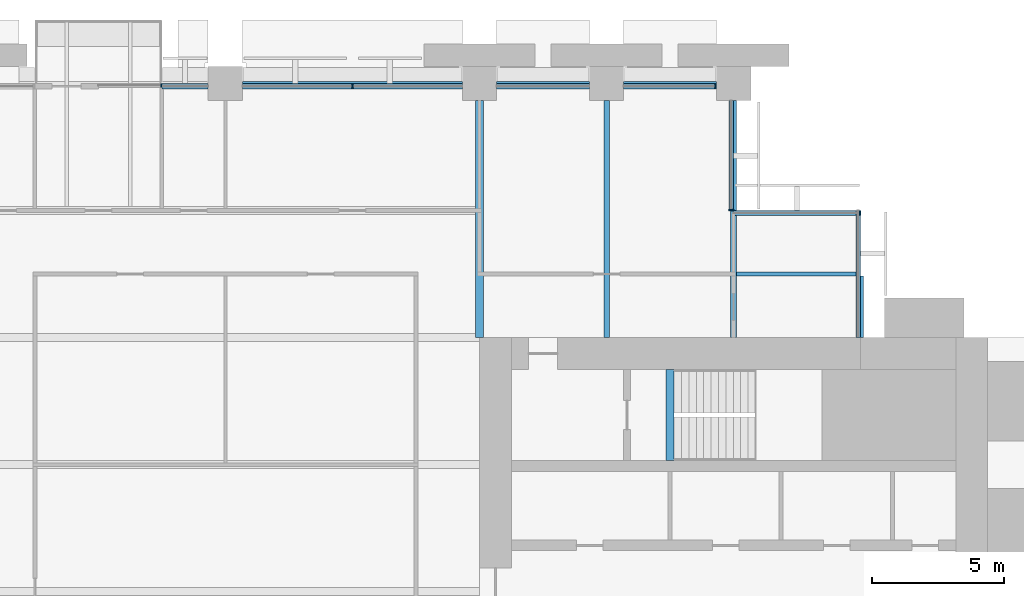
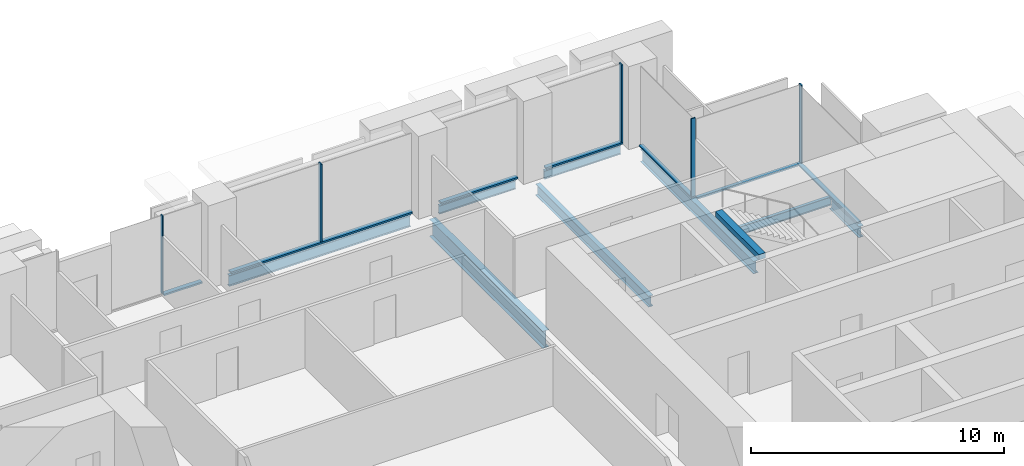
# One storey, part 7 of 15: 12 members, 9 beams, 5 elements without a shape of their own.
"""IFC4 building model written with IfcOpenShell, lengths in metres."""

from ifc_helpers import new_model, si_unit, direction, frame, origin, origin_2d, place, context, subcontext, project, spatial, rectangle, i_section, extrude, material, material_profile, profile_set, type_object, element, aggregate, save


model = new_model("IFC4")

# Units and contexts
model_context = context("Model", 3, precision=1e-05, world=origin(), true_north=direction((0.0, 1.0)))
body_context = subcontext(model_context, "Body", "Model", "MODEL_VIEW")
ifc_project = project(units=[si_unit("LENGTHUNIT", "METRE"), si_unit("AREAUNIT", "SQUARE_METRE"), si_unit("VOLUMEUNIT", "CUBIC_METRE"), si_unit("PLANEANGLEUNIT", "RADIAN"), si_unit("MASSUNIT", "GRAM", prefix="KILO")], contexts=[model_context])

# Site, building, storey
site_placement = place(None, origin())
site = spatial("IfcSite", under=ifc_project, at=site_placement, CompositionType="ELEMENT")
building_placement = place(site_placement, origin())
building = spatial("IfcBuilding", under=site, at=building_placement, Name="Baori Bourse Tower", CompositionType="ELEMENT")
storey_placement = place(building_placement, frame((0.0, 0.0, 47.0)))
storey = spatial("IfcBuildingStorey", under=building, at=storey_placement, Name="L09", CompositionType="ELEMENT", Elevation=47.0)

# Curtain wall, members
ifc_material_1 = material(Name="Pale anodised aluminium", Category="aluminium")
curtain_wall_type_1 = type_object("IfcCurtainWallType", Name="CW1 Curtain wall", PredefinedType="NOTDEFINED", material=ifc_material_1)
curtain_wall_1_placement = place(storey_placement, origin())
curtain_wall_1 = element("IfcCurtainWall", 1, at=curtain_wall_1_placement, inside=storey, type_object=curtain_wall_type_1, Name="Curtain wall CW1 L09 4", PredefinedType="NOTDEFINED")
ifc_material_2 = material(Name="Pale anodised aluminium", Category="aluminium")
ifc_material_profile_1 = material_profile(ifc_material_2, rectangle(XDim=0.199951171875, YDim=0.06005859375, at=origin_2d()), Name="Mullion 60x200")
ifc_profile_set_1 = profile_set([ifc_material_profile_1], Name="Pale anodised aluminium")
member_type_1 = type_object("IfcMemberType", Name="CW1 Curtain wall mullion", PredefinedType="MULLION", material=ifc_profile_set_1)
member_1_placement = place(storey_placement, frame((47.320068359375, 47.89990234375, 0.080078125), z_axis=(0.0, 0.0, 1.0), x_axis=(0.0, -1.0, 0.0)))
member_1 = element("IfcMember", 2, at=member_1_placement, type_object=member_type_1, Name="Curtain wall CW1 mullion", PredefinedType="MULLION", context=body_context, shape_type="SweptSolid", body=[
    extrude(rectangle(XDim=0.199951171875, YDim=0.06005859375, at=origin_2d()), origin(), (0.0, 0.0, 1.0), 3.760009765625),
])
member_2_placement = place(storey_placement, frame((33.60009765625, 47.89990234375, 0.080078125), z_axis=(0.0, 0.0, 1.0), x_axis=(0.0, -1.0, 0.0)))
member_2 = element("IfcMember", 3, at=member_2_placement, type_object=member_type_1, Name="Curtain wall CW1 mullion", PredefinedType="MULLION", context=body_context, shape_type="SweptSolid", body=[
    extrude(rectangle(XDim=0.199951171875, YDim=0.06005859375, at=origin_2d()), origin(), (0.0, 0.0, 1.0), 3.760009765625),
])
ifc_material_3 = material(Name="Pale anodised aluminium", Category="aluminium")
ifc_material_profile_2 = material_profile(ifc_material_3, rectangle(XDim=0.199951171875, YDim=0.080078125, at=origin_2d()), Name="Transom 80x200")
ifc_profile_set_2 = profile_set([ifc_material_profile_2], Name="Pale anodised aluminium")
member_type_2 = type_object("IfcMemberType", Name="CW1 Curtain wall transom", PredefinedType="USERDEFINED", material=ifc_profile_set_2)
member_3_placement = place(storey_placement, frame((47.35009765625, 47.89990234375, 0.0400390625), z_axis=(-1.0, 0.0, 0.0), x_axis=(0.0, -1.0, 0.0)))
member_3 = element("IfcMember", 4, at=member_3_placement, type_object=member_type_2, Name="Curtain wall CW1 sill rail", ObjectType="TRANSOM", PredefinedType="USERDEFINED", context=body_context, shape_type="SweptSolid", body=[
    extrude(rectangle(XDim=0.199951171875, YDim=0.080078125, at=origin_2d()), origin(), (0.0, 0.0, 1.0), 3.5),
])
member_4_placement = place(storey_placement, frame((42.550048828125, 47.89990234375, 0.0400390625), z_axis=(-1.0, 0.0, 0.0), x_axis=(0.0, -1.0, 0.0)))
member_4 = element("IfcMember", 5, at=member_4_placement, type_object=member_type_2, Name="Curtain wall CW1 sill rail", ObjectType="TRANSOM", PredefinedType="USERDEFINED", context=body_context, shape_type="SweptSolid", body=[
    extrude(rectangle(XDim=0.199951171875, YDim=0.080078125, at=origin_2d()), origin(), (0.0, 0.0, 1.0), 3.5),
])
member_5_placement = place(storey_placement, frame((37.75, 47.89990234375, 0.0400390625), z_axis=(-1.0, 0.0, 0.0), x_axis=(0.0, -1.0, 0.0)))
member_5 = element("IfcMember", 6, at=member_5_placement, type_object=member_type_2, Name="Curtain wall CW1 sill rail", ObjectType="TRANSOM", PredefinedType="USERDEFINED", context=body_context, shape_type="SweptSolid", body=[
    extrude(rectangle(XDim=0.199951171875, YDim=0.080078125, at=origin_2d()), origin(), (0.0, 0.0, 1.0), 8.300048828125),
])
member_6_placement = place(storey_placement, frame((28.14990234375, 47.89990234375, 0.0400390625), z_axis=(-1.0, 0.0, 0.0), x_axis=(0.0, -1.0, 0.0)))
member_6 = element("IfcMember", 7, at=member_6_placement, type_object=member_type_2, Name="Curtain wall CW1 sill rail", ObjectType="TRANSOM", PredefinedType="USERDEFINED", context=body_context, shape_type="SweptSolid", body=[
    extrude(rectangle(XDim=0.199951171875, YDim=0.080078125, at=origin_2d()), origin(), (0.0, 0.0, 1.0), 1.75),
])
aggregate(curtain_wall_1, [member_3, member_1, member_4, member_5, member_2, member_6])

# Curtain wall, member
ifc_material_4 = material(Name="Pale anodised aluminium", Category="aluminium")
curtain_wall_type_2 = type_object("IfcCurtainWallType", Name="CW2 Curtain wall", PredefinedType="NOTDEFINED", material=ifc_material_4)
curtain_wall_2_placement = place(storey_placement, origin())
curtain_wall_2 = element("IfcCurtainWall", 8, at=curtain_wall_2_placement, inside=storey, type_object=curtain_wall_type_2, Name="Curtain wall CW2 L09 2", PredefinedType="NOTDEFINED")
ifc_material_5 = material(Name="Pale anodised aluminium", Category="aluminium")
ifc_material_profile_3 = material_profile(ifc_material_5, rectangle(XDim=0.179931640625, YDim=0.054931640625, at=origin_2d()), Name="Mullion 55x180")
ifc_profile_set_3 = profile_set([ifc_material_profile_3], Name="Pale anodised aluminium")
member_type_3 = type_object("IfcMemberType", Name="CW2 Curtain wall mullion", PredefinedType="MULLION", material=ifc_profile_set_3)
member_7_placement = place(storey_placement, frame((52.7724609375, 43.110107421875, 0.070068359375), z_axis=(0.0, 0.0, 1.0), x_axis=(0.0, -1.0, 0.0)))
member_7 = element("IfcMember", 9, at=member_7_placement, type_object=member_type_3, Name="Curtain wall CW2 mullion", PredefinedType="MULLION", context=body_context, shape_type="SweptSolid", body=[
    extrude(rectangle(XDim=0.179931640625, YDim=0.054931640625, at=origin_2d()), origin(), (0.0, 0.0, 1.0), 3.77001953125),
])

curtain_wall_3_placement = place(storey_placement, origin())
curtain_wall_3 = element("IfcCurtainWall", 10, at=curtain_wall_3_placement, inside=storey, type_object=curtain_wall_type_2, Name="Curtain wall CW2 L09 3", PredefinedType="NOTDEFINED")
member_8_placement = place(storey_placement, frame((47.909912109375, 43.2275390625, 0.070068359375), z_axis=(0.0, 0.0, 1.0), x_axis=(-1.0, 0.0, 0.0)))
member_8 = element("IfcMember", 11, at=member_8_placement, type_object=member_type_3, Name="Curtain wall CW2 mullion", PredefinedType="MULLION", context=body_context, shape_type="SweptSolid", body=[
    extrude(rectangle(XDim=0.179931640625, YDim=0.054931640625, at=origin_2d()), origin(), (0.0, 0.0, 1.0), 3.77001953125),
])

curtain_wall_4_placement = place(storey_placement, origin())
curtain_wall_4 = element("IfcCurtainWall", 12, at=curtain_wall_4_placement, inside=storey, type_object=curtain_wall_type_2, Name="Curtain wall CW2 L09 1", PredefinedType="NOTDEFINED")
ifc_material_6 = material(Name="Pale anodised aluminium", Category="aluminium")
ifc_material_profile_4 = material_profile(ifc_material_6, rectangle(XDim=0.179931640625, YDim=0.070068359375, at=origin_2d()), Name="Transom 70x180")
ifc_profile_set_4 = profile_set([ifc_material_profile_4], Name="Pale anodised aluminium")
member_type_4 = type_object("IfcMemberType", Name="CW2 Curtain wall transom", PredefinedType="USERDEFINED", material=ifc_profile_set_4)
member_9_placement = place(storey_placement, frame((52.7099609375, 38.39990234375, 0.034912109375), z_axis=(0.0, 1.0, 0.0), x_axis=(-1.0, 0.0, 0.0)))
member_9 = element("IfcMember", 13, at=member_9_placement, type_object=member_type_4, Name="Curtain wall CW2 sill rail", ObjectType="TRANSOM", PredefinedType="USERDEFINED", context=body_context, shape_type="SweptSolid", body=[
    extrude(rectangle(XDim=0.179931640625, YDim=0.070068359375, at=origin_2d()), origin(), (0.0, 0.0, 1.0), 4.800048828125),
])
aggregate(curtain_wall_4, [member_9])

# Member
member_10_placement = place(storey_placement, frame((52.800048828125, 43.110107421875, 0.034912109375), z_axis=(-1.0, 0.0, 0.0), x_axis=(0.0, -1.0, 0.0)))
member_10 = element("IfcMember", 14, at=member_10_placement, type_object=member_type_4, Name="Curtain wall CW2 sill rail", ObjectType="TRANSOM", PredefinedType="USERDEFINED", context=body_context, shape_type="SweptSolid", body=[
    extrude(rectangle(XDim=0.179931640625, YDim=0.070068359375, at=origin_2d()), origin(), (0.0, 0.0, 1.0), 4.800048828125),
])

aggregate(curtain_wall_2, [member_10, member_7])

member_11_placement = place(storey_placement, frame((47.909912109375, 43.199951171875, 0.034912109375), z_axis=(0.0, 1.0, 0.0), x_axis=(-1.0, 0.0, 0.0)))
member_11 = element("IfcMember", 15, at=member_11_placement, type_object=member_type_4, Name="Curtain wall CW2 sill rail", ObjectType="TRANSOM", PredefinedType="USERDEFINED", context=body_context, shape_type="SweptSolid", body=[
    extrude(rectangle(XDim=0.179931640625, YDim=0.070068359375, at=origin_2d()), origin(), (0.0, 0.0, 1.0), 4.150146484375),
])

aggregate(curtain_wall_3, [member_11, member_8])

# Curtain wall, member
ifc_material_7 = material(Name="Pale anodised aluminium", Category="aluminium")
curtain_wall_type_3 = type_object("IfcCurtainWallType", Name="CW6 Curtain wall", PredefinedType="NOTDEFINED", material=ifc_material_7)
curtain_wall_5_placement = place(storey_placement, origin())
curtain_wall_5 = element("IfcCurtainWall", 16, at=curtain_wall_5_placement, inside=storey, type_object=curtain_wall_type_3, Name="Curtain wall CW6 L09 5", PredefinedType="NOTDEFINED")
ifc_material_8 = material(Name="Pale anodised aluminium", Category="aluminium")
ifc_material_profile_5 = material_profile(ifc_material_8, rectangle(XDim=0.14990234375, YDim=0.050048828125, at=origin_2d()), Name="Mullion 50x150")
ifc_profile_set_5 = profile_set([ifc_material_profile_5], Name="Pale anodised aluminium")
member_type_5 = type_object("IfcMemberType", Name="CW6 Curtain wall mullion", PredefinedType="MULLION", material=ifc_profile_set_5)
member_12_placement = place(storey_placement, frame((26.375, 47.925048828125, 0.06494140625), z_axis=(0.0, 0.0, 1.0), x_axis=(0.0, -1.0, 0.0)))
member_12 = element("IfcMember", 17, at=member_12_placement, type_object=member_type_5, Name="Curtain wall CW6 mullion", PredefinedType="MULLION", context=body_context, shape_type="SweptSolid", body=[
    extrude(rectangle(XDim=0.14990234375, YDim=0.050048828125, at=origin_2d()), origin(), (0.0, 0.0, 1.0), 3.775146484375),
])
aggregate(curtain_wall_5, [member_12])

# Beams
ifc_material_9 = material(Name="Steel A992 Gr 50", Category="steel")
ifc_material_profile_6 = material_profile(ifc_material_9, i_section(OverallWidth=0.21240234375, OverallDepth=0.54345703125, WebThickness=0.01318359375, FlangeThickness=0.021240234375, at=origin_2d()), Name="W21x83")
ifc_profile_set_6 = profile_set([ifc_material_profile_6], Name="Steel A992 Gr 50")
beam_type_1 = type_object("IfcBeamType", Name="Core bracket W21x83", PredefinedType="BEAM", material=ifc_profile_set_6)
beam_1_placement = place(storey_placement, frame((52.800048828125, 38.39990234375, -0.431884765625), z_axis=(0.0, 1.0, 0.0), x_axis=(-1.0, 0.0, 0.0)))
element("IfcBeam", 18, at=beam_1_placement, inside=storey, type_object=beam_type_1, Name="Core bracket L09", PredefinedType="BEAM", context=body_context, shape_type="SweptSolid", body=[
    extrude(i_section(OverallWidth=0.21240234375, OverallDepth=0.54345703125, WebThickness=0.01318359375, FlangeThickness=0.021240234375, at=origin_2d()), origin(), (0.0, 0.0, 1.0), 2.329833984375),
])
ifc_material_10 = material(Name="Steel A992 Gr 50", Category="steel")
ifc_material_profile_7 = material_profile(ifc_material_10, i_section(OverallWidth=0.140380859375, OverallDepth=0.40380859375, WebThickness=0.007080078125, FlangeThickness=0.01123046875, at=origin_2d()), Name="W16x31")
ifc_profile_set_7 = profile_set([ifc_material_profile_7], Name="Steel A992 Gr 50")
beam_type_2 = type_object("IfcBeamType", Name="Edge beam W16x31", PredefinedType="BEAM", material=ifc_profile_set_7)
for number, where, z_axis, x_axis, name in (
    (19, (39.050048828125, 48.0, -0.36181640625), (1.0, 0.0, 0.0), (0.0, 1.0, 0.0), "Edge beam L09"),
    (20, (43.85009765625, 48.0, -0.36181640625), (1.0, 0.0, 0.0), (0.0, 1.0, 0.0), "Edge beam L09"),
):
    element("IfcBeam", number, at=place(storey_placement, frame(where, z_axis=z_axis, x_axis=x_axis)), inside=storey, type_object=beam_type_2, Name=name, PredefinedType="BEAM", context=body_context, shape_type="SweptSolid", body=[
        extrude(i_section(OverallWidth=0.140380859375, OverallDepth=0.40380859375, WebThickness=0.007080078125, FlangeThickness=0.01123046875, at=origin_2d()), origin(), (0.0, 0.0, 1.0), 3.5),
    ])
ifc_material_11 = material(Name="Steel A992 Gr 50", Category="steel")
ifc_material_profile_8 = material_profile(ifc_material_11, i_section(OverallWidth=0.1650390625, OverallDepth=0.52587890625, WebThickness=0.0087890625, FlangeThickness=0.011474609375, at=origin_2d()), Name="W21x44")
ifc_profile_set_8 = profile_set([ifc_material_profile_8], Name="Steel A992 Gr 50")
beam_type_3 = type_object("IfcBeamType", Name="Edge beam W21x44", PredefinedType="BEAM", material=ifc_profile_set_8)
beam_2_placement = place(storey_placement, frame((29.449951171875, 48.0, -0.4228515625), z_axis=(1.0, 0.0, 0.0), x_axis=(0.0, 1.0, 0.0)))
element("IfcBeam", 21, at=beam_2_placement, inside=storey, type_object=beam_type_3, Name="Edge beam L09", PredefinedType="BEAM", context=body_context, shape_type="SweptSolid", body=[
    extrude(i_section(OverallWidth=0.1650390625, OverallDepth=0.52587890625, WebThickness=0.0087890625, FlangeThickness=0.011474609375, at=origin_2d()), origin(), (0.0, 0.0, 1.0), 8.300048828125),
])
ifc_material_12 = material(Name="Steel A992 Gr 50", Category="steel")
ifc_material_profile_9 = material_profile(ifc_material_12, i_section(OverallWidth=0.209228515625, OverallDepth=0.533447265625, WebThickness=0.01025390625, FlangeThickness=0.015625, at=origin_2d()), Name="W21x62")
ifc_profile_set_9 = profile_set([ifc_material_profile_9], Name="Steel A992 Gr 50")
beam_type_4 = type_object("IfcBeamType", Name="Floor beam W21x62", PredefinedType="BEAM", material=ifc_profile_set_9)
beam_3_placement = place(storey_placement, frame((43.199951171875, 38.39990234375, -0.4267578125), z_axis=(0.0, 1.0, 0.0), x_axis=(-1.0, 0.0, 0.0)))
element("IfcBeam", 22, at=beam_3_placement, inside=storey, type_object=beam_type_4, Name="Floor beam L09", PredefinedType="BEAM", context=body_context, shape_type="SweptSolid", body=[
    extrude(i_section(OverallWidth=0.209228515625, OverallDepth=0.533447265625, WebThickness=0.01025390625, FlangeThickness=0.015625, at=origin_2d()), origin(), (0.0, 0.0, 1.0), 8.9501953125),
])
ifc_material_13 = material(Name="Steel A992 Gr 50", Category="steel")
ifc_material_profile_10 = material_profile(ifc_material_13, i_section(OverallWidth=0.227783203125, OverallDepth=0.60205078125, WebThickness=0.010498046875, FlangeThickness=0.014892578125, at=origin_2d()), Name="W24x68")
ifc_profile_set_10 = profile_set([ifc_material_profile_10], Name="Steel A992 Gr 50")
beam_type_5 = type_object("IfcBeamType", Name="Floor beam W24x68", PredefinedType="BEAM", material=ifc_profile_set_10)
beam_4_placement = place(storey_placement, frame((48.0, 38.39990234375, -0.4609375), z_axis=(0.0, 1.0, 0.0), x_axis=(-1.0, 0.0, 0.0)))
element("IfcBeam", 23, at=beam_4_placement, inside=storey, type_object=beam_type_5, Name="Floor beam L09", PredefinedType="BEAM", context=body_context, shape_type="SweptSolid", body=[
    extrude(i_section(OverallWidth=0.227783203125, OverallDepth=0.60205078125, WebThickness=0.010498046875, FlangeThickness=0.014892578125, at=origin_2d()), origin(), (0.0, 0.0, 1.0), 8.9501953125),
])
ifc_material_14 = material(Name="Steel A992 Gr 50", Category="steel")
ifc_material_profile_11 = material_profile(ifc_material_14, i_section(OverallWidth=0.2919921875, OverallDepth=0.835693359375, WebThickness=0.013916015625, FlangeThickness=0.018798828125, at=origin_2d()), Name="W33x118")
ifc_profile_set_11 = profile_set([ifc_material_profile_11], Name="Steel A992 Gr 50")
beam_type_6 = type_object("IfcBeamType", Name="Girder W33x118", PredefinedType="BEAM", material=ifc_profile_set_11)
beam_5_placement = place(storey_placement, frame((38.39990234375, 38.39990234375, -0.577880859375), z_axis=(0.0, 1.0, 0.0), x_axis=(-1.0, 0.0, 0.0)))
element("IfcBeam", 24, at=beam_5_placement, inside=storey, type_object=beam_type_6, Name="Girder L09", PredefinedType="BEAM", context=body_context, shape_type="SweptSolid", body=[
    extrude(i_section(OverallWidth=0.2919921875, OverallDepth=0.835693359375, WebThickness=0.013916015625, FlangeThickness=0.018798828125, at=origin_2d()), origin(), (0.0, 0.0, 1.0), 8.9501953125),
])
ifc_material_15 = material(Name="Concrete f'c 50 MPa", Category="concrete")
ifc_material_profile_12 = material_profile(ifc_material_15, rectangle(XDim=0.300048828125, YDim=0.25, at=origin_2d()), Name="RC 300x250")
ifc_profile_set_12 = profile_set([ifc_material_profile_12], Name="Concrete f'c 50 MPa")
beam_type_7 = type_object("IfcBeamType", Name="Stair nib beam RC 300x250", PredefinedType="BEAM", material=ifc_profile_set_12)
beam_6_placement = place(storey_placement, frame((45.60009765625, 33.75, 3.715087890625), z_axis=(0.0, 1.0, 0.0), x_axis=(-1.0, 0.0, 0.0)))
element("IfcBeam", 25, at=beam_6_placement, inside=storey, type_object=beam_type_7, Name="Stair EB nib beam L10", PredefinedType="BEAM", context=body_context, shape_type="SweptSolid", body=[
    extrude(rectangle(XDim=0.300048828125, YDim=0.25, at=origin_2d()), origin(), (0.0, 0.0, 1.0), 3.449951171875),
])
ifc_material_16 = material(Name="Steel A992 Gr 50", Category="steel")
ifc_material_profile_13 = material_profile(ifc_material_16, i_section(OverallWidth=0.140380859375, OverallDepth=0.40380859375, WebThickness=0.007080078125, FlangeThickness=0.01123046875, at=origin_2d()), Name="W16x31")
ifc_profile_set_13 = profile_set([ifc_material_profile_13], Name="Steel A992 Gr 50")
beam_type_8 = type_object("IfcBeamType", Name="Trimmer beam W16x31", PredefinedType="BEAM", material=ifc_profile_set_13)
beam_7_placement = place(storey_placement, frame((48.114013671875, 40.800048828125, -0.36181640625), z_axis=(1.0, 0.0, 0.0), x_axis=(0.0, 1.0, 0.0)))
element("IfcBeam", 26, at=beam_7_placement, inside=storey, type_object=beam_type_8, Name="Trimmer beam L09", PredefinedType="BEAM", context=body_context, shape_type="SweptSolid", body=[
    extrude(i_section(OverallWidth=0.140380859375, OverallDepth=0.40380859375, WebThickness=0.007080078125, FlangeThickness=0.01123046875, at=origin_2d()), origin(), (0.0, 0.0, 1.0), 4.68603515625),
])

save(model, "model.ifc")
